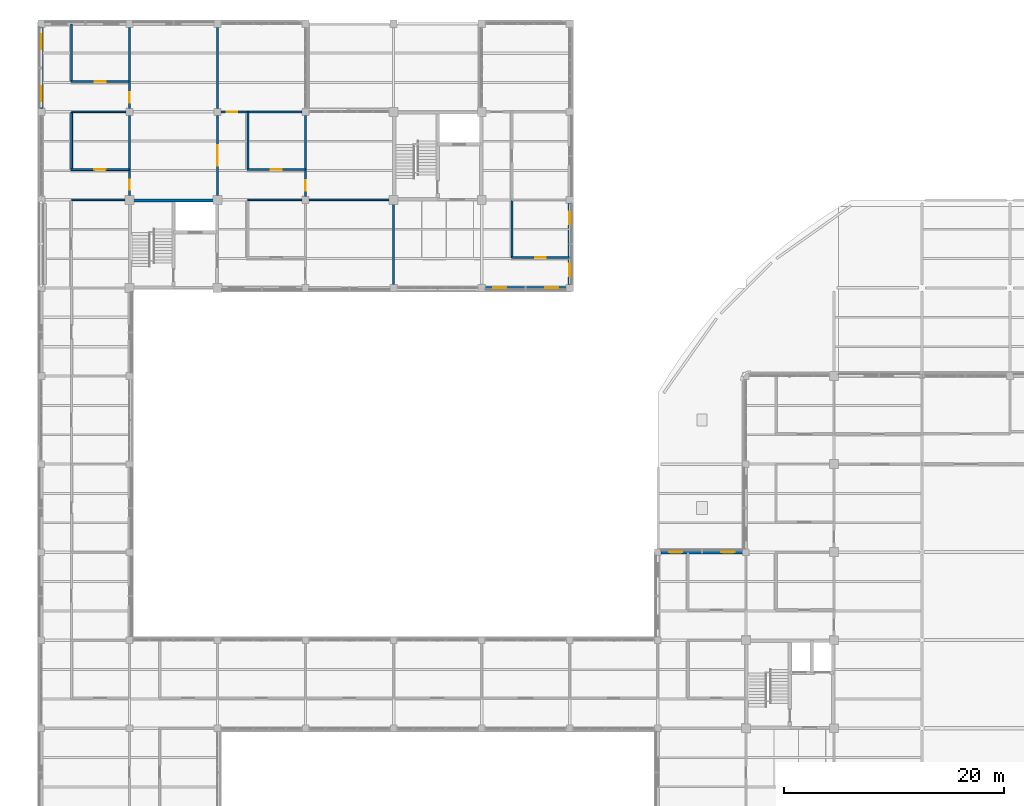
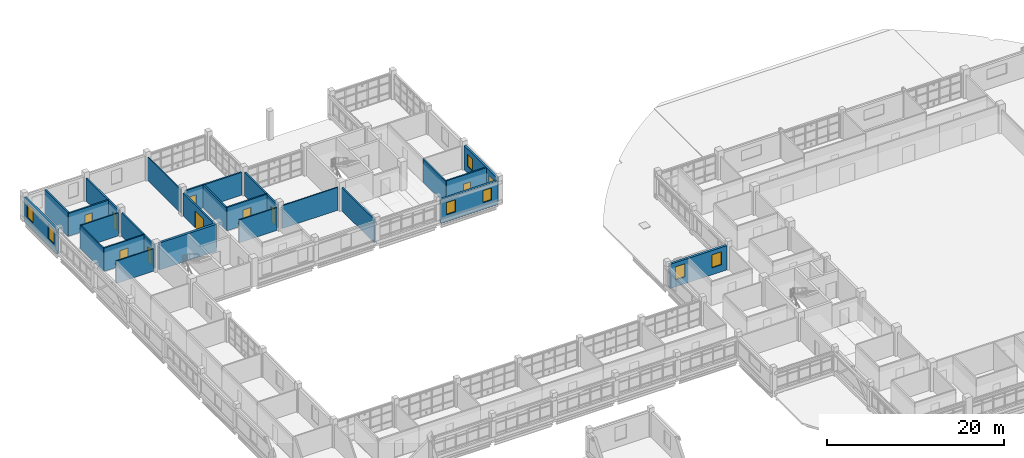
# One storey, part 95 of 126: 24 walls, 9 doors, 8 windows, 17 openings.
"""IFC4 building model written with IfcOpenShell, lengths in metres."""

from ifc_helpers import new_model, si_unit, derived_unit, direction, frame, frame_2d, origin, place, context, subcontext, project, spatial, rectangle, extrude, material, layer, layer_set, type_object, element, fill, save


model = new_model("IFC4")

# Units and contexts
model_context = context("Model", 3, precision=1e-05, world=origin(), true_north=direction((0.0, 1.0)))
body_context = subcontext(model_context, "Body", "Model", "MODEL_VIEW")
ifc_project = project(units=[si_unit("LENGTHUNIT", "METRE"), si_unit("AREAUNIT", "SQUARE_METRE"), si_unit("VOLUMEUNIT", "CUBIC_METRE"), si_unit("PLANEANGLEUNIT", "RADIAN"), si_unit("MASSUNIT", "GRAM", prefix="KILO"), derived_unit("THERMALTRANSMITTANCEUNIT", [(si_unit("MASSUNIT", "GRAM", prefix="KILO"), 1), (si_unit("TIMEUNIT", "SECOND"), -3), (si_unit("THERMODYNAMICTEMPERATUREUNIT", "KELVIN"), -1)])], contexts=[model_context])

# Site, building, storey
site_placement = place(None, origin())
site = spatial("IfcSite", under=ifc_project, at=site_placement, CompositionType="ELEMENT")
building_placement = place(site_placement, origin())
building = spatial("IfcBuilding", under=site, at=building_placement, Name="Veyamyaing Civic Hall", CompositionType="ELEMENT")
storey_placement = place(building_placement, frame((0.0, 0.0, 9.89990234375)))
storey = spatial("IfcBuildingStorey", under=building, at=storey_placement, Name="L02", CompositionType="ELEMENT", Elevation=9.89990234375)

# Wall, openings, windows
ifc_material_1 = material(Name="Precast concrete C40/50", Category="concrete")
ifc_layer_1 = layer(ifc_material_1, 0.304931640625, Name="Precast concrete C40/50")
ifc_layer_set_1 = layer_set([ifc_layer_1], Name="Precast concrete C40/50")
wall_type_1 = type_object("IfcWallType", Name="WT-03", PredefinedType="SOLIDWALL", material=ifc_layer_set_1)
wall_1_placement = place(storey_placement, frame((56.284912109375, 64.0, 0.0), z_axis=(0.0, 0.0, 1.0), x_axis=(1.0, 0.0, 0.0)))
wall_1 = element("IfcWall", 1, at=wall_1_placement, inside=storey, type_object=wall_type_1, Name="Exterior facade wall WT-03 L02 N 8.8", PredefinedType="SOLIDWALL", context=body_context, shape_type="SweptSolid", body=[
    extrude(rectangle(XDim=7.43017578125, YDim=0.304931640625, at=frame_2d((3.715087890625, 0.0))), origin(), (0.0, 0.0, 1.0), 3.343994140625),
])
opening_1_placement = place(wall_1_placement, frame((0.7373046875, 0.0, 0.949951171875)))
opening_1 = element("IfcOpeningElement", 2, at=opening_1_placement, cuts=wall_1, Name="Opening W-14", PredefinedType="OPENING", context=body_context, shape_type="SweptSolid", body=[
    extrude(rectangle(XDim=1.199951171875, YDim=1.800048828125, at=frame_2d((0.60009765625, 0.89990234375))), frame((0.0, 0.162353515625, 0.0), z_axis=(0.0, -1.0, 0.0), x_axis=(1.0, 0.0, 0.0)), (0.0, 0.0, 1.0), 0.324951171875),
])
opening_2_placement = place(wall_1_placement, frame((5.49267578125, 0.0, 0.949951171875)))
opening_2 = element("IfcOpeningElement", 3, at=opening_2_placement, cuts=wall_1, Name="Opening W-14", PredefinedType="OPENING", context=body_context, shape_type="SweptSolid", body=[
    extrude(rectangle(XDim=1.199951171875, YDim=1.800048828125, at=frame_2d((0.60009765625, 0.89990234375))), frame((0.0, 0.162353515625, 0.0), z_axis=(0.0, -1.0, 0.0), x_axis=(1.0, 0.0, 0.0)), (0.0, 0.0, 1.0), 0.324951171875),
])
ifc_material_2 = material(Name="Low-E insulated glass", Category="glass")
window_type_1 = type_object("IfcWindowType", Name="W-14", PartitioningType="SINGLE_PANEL", PredefinedType="WINDOW", material=ifc_material_2)
window_1_placement = place(opening_1_placement, origin())
window_1 = element("IfcWindow", 4, at=window_1_placement, inside=storey, type_object=window_type_1, Name="Facade window W-14 L02 N 8.8.1", OverallHeight=1.800048828125, OverallWidth=1.199951171875, PartitioningType="SINGLE_PANEL", PredefinedType="WINDOW", context=body_context, shape_type="SweptSolid", body=[
    extrude(rectangle(XDim=1.199951171875, YDim=1.800048828125, at=frame_2d((0.60009765625, 0.89990234375))), frame((0.0, 0.030029296875, 0.0), z_axis=(0.0, -1.0, 0.0), x_axis=(1.0, 0.0, 0.0)), (0.0, 0.0, 1.0), 0.06005859375),
])
fill(opening_1, window_1)
window_2_placement = place(opening_2_placement, origin())
window_2 = element("IfcWindow", 5, at=window_2_placement, inside=storey, type_object=window_type_1, Name="Facade window W-14 L02 N 8.8.2", OverallHeight=1.800048828125, OverallWidth=1.199951171875, PartitioningType="SINGLE_PANEL", PredefinedType="WINDOW", context=body_context, shape_type="SweptSolid", body=[
    extrude(rectangle(XDim=1.199951171875, YDim=1.800048828125, at=frame_2d((0.60009765625, 0.89990234375))), frame((0.0, 0.030029296875, 0.0), z_axis=(0.0, -1.0, 0.0), x_axis=(1.0, 0.0, 0.0)), (0.0, 0.0, 1.0), 0.06005859375),
])
fill(opening_2, window_2)

ifc_layer_2 = layer(ifc_material_1, 0.280029296875, Name="Precast concrete C40/50")
ifc_layer_set_2 = layer_set([ifc_layer_2], Name="Precast concrete C40/50")
wall_type_2 = type_object("IfcWallType", Name="WT-04", PredefinedType="SOLIDWALL", material=ifc_layer_set_2)
wall_2_placement = place(storey_placement, frame((0.0, 104.31005859375, 0.0), z_axis=(0.0, 0.0, 1.0), x_axis=(0.0, 1.0, 0.0)))
wall_2 = element("IfcWall", 6, at=wall_2_placement, inside=storey, type_object=wall_type_2, Name="Exterior facade wall WT-04 L02 W 1.14", PredefinedType="SOLIDWALL", context=body_context, shape_type="SweptSolid", body=[
    extrude(rectangle(XDim=7.3798828125, YDim=0.280029296875, at=frame_2d((3.68994140625, 0.0))), origin(), (0.0, 0.0, 1.0), 3.34716796875),
])
opening_3_placement = place(wall_2_placement, frame((0.6533203125, 0.0, 0.949951171875)))
opening_3 = element("IfcOpeningElement", 7, at=opening_3_placement, cuts=wall_2, Name="Opening W-13", PredefinedType="OPENING", context=body_context, shape_type="SweptSolid", body=[
    extrude(rectangle(XDim=1.35009765625, YDim=1.89990234375, at=frame_2d((0.675048828125, 0.949951171875))), frame((0.0, 0.14990234375, 0.0), z_axis=(0.0, -1.0, 0.0), x_axis=(1.0, 0.0, 0.0)), (0.0, 0.0, 1.0), 0.300048828125),
])
opening_4_placement = place(wall_2_placement, frame((5.376708984375, 0.0, 0.949951171875)))
opening_4 = element("IfcOpeningElement", 8, at=opening_4_placement, cuts=wall_2, Name="Opening W-13", PredefinedType="OPENING", context=body_context, shape_type="SweptSolid", body=[
    extrude(rectangle(XDim=1.35009765625, YDim=1.89990234375, at=frame_2d((0.675048828125, 0.949951171875))), frame((0.0, 0.14990234375, 0.0), z_axis=(0.0, -1.0, 0.0), x_axis=(1.0, 0.0, 0.0)), (0.0, 0.0, 1.0), 0.300048828125),
])
window_type_2 = type_object("IfcWindowType", Name="W-13", PartitioningType="SINGLE_PANEL", PredefinedType="WINDOW", material=ifc_material_2)
window_3_placement = place(opening_3_placement, origin())
window_3 = element("IfcWindow", 9, at=window_3_placement, inside=storey, type_object=window_type_2, Name="Facade window W-13 L02 W 1.14.1", OverallHeight=1.89990234375, OverallWidth=1.35009765625, PartitioningType="SINGLE_PANEL", PredefinedType="WINDOW", context=body_context, shape_type="SweptSolid", body=[
    extrude(rectangle(XDim=1.35009765625, YDim=1.89990234375, at=frame_2d((0.675048828125, 0.949951171875))), frame((0.0, 0.030029296875, 0.0), z_axis=(0.0, -1.0, 0.0), x_axis=(1.0, 0.0, 0.0)), (0.0, 0.0, 1.0), 0.06005859375),
])
fill(opening_3, window_3)
window_4_placement = place(opening_4_placement, origin())
window_4 = element("IfcWindow", 10, at=window_4_placement, inside=storey, type_object=window_type_2, Name="Facade window W-13 L02 W 1.14.2", OverallHeight=1.89990234375, OverallWidth=1.35009765625, PartitioningType="SINGLE_PANEL", PredefinedType="WINDOW", context=body_context, shape_type="SweptSolid", body=[
    extrude(rectangle(XDim=1.35009765625, YDim=1.89990234375, at=frame_2d((0.675048828125, 0.949951171875))), frame((0.0, 0.030029296875, 0.0), z_axis=(0.0, -1.0, 0.0), x_axis=(1.0, 0.0, 0.0)), (0.0, 0.0, 1.0), 0.06005859375),
])
fill(opening_4, window_4)

wall_3_placement = place(storey_placement, frame((40.31005859375, 88.0, 0.0), z_axis=(0.0, 0.0, 1.0), x_axis=(1.0, 0.0, 0.0)))
wall_3 = element("IfcWall", 11, at=wall_3_placement, inside=storey, type_object=wall_type_2, Name="Exterior facade wall WT-04 L02 S 6.12", PredefinedType="SOLIDWALL", context=body_context, shape_type="SweptSolid", body=[
    extrude(rectangle(XDim=7.3798828125, YDim=0.280029296875, at=frame_2d((3.68994140625, 0.0))), origin(), (0.0, 0.0, 1.0), 3.2841796875),
])
opening_5_placement = place(wall_3_placement, frame((0.75341796875, 0.0, 0.949951171875)))
opening_5 = element("IfcOpeningElement", 12, at=opening_5_placement, cuts=wall_3, Name="Opening W-32", PredefinedType="OPENING", context=body_context, shape_type="SweptSolid", body=[
    extrude(rectangle(XDim=1.14990234375, YDim=1.64990234375, at=frame_2d((0.574951171875, 0.824951171875))), frame((0.0, 0.14990234375, 0.0), z_axis=(0.0, -1.0, 0.0), x_axis=(1.0, 0.0, 0.0)), (0.0, 0.0, 1.0), 0.300048828125),
])
opening_6_placement = place(wall_3_placement, frame((5.4765625, 0.0, 0.949951171875)))
opening_6 = element("IfcOpeningElement", 13, at=opening_6_placement, cuts=wall_3, Name="Opening W-32", PredefinedType="OPENING", context=body_context, shape_type="SweptSolid", body=[
    extrude(rectangle(XDim=1.14990234375, YDim=1.64990234375, at=frame_2d((0.574951171875, 0.824951171875))), frame((0.0, 0.14990234375, 0.0), z_axis=(0.0, -1.0, 0.0), x_axis=(1.0, 0.0, 0.0)), (0.0, 0.0, 1.0), 0.300048828125),
])
window_type_3 = type_object("IfcWindowType", Name="W-32", PartitioningType="SINGLE_PANEL", PredefinedType="WINDOW", material=ifc_material_2)
window_5_placement = place(opening_5_placement, origin())
window_5 = element("IfcWindow", 14, at=window_5_placement, inside=storey, type_object=window_type_3, Name="Facade window W-32 L02 S 6.12.1", OverallHeight=1.64990234375, OverallWidth=1.14990234375, PartitioningType="SINGLE_PANEL", PredefinedType="WINDOW", context=body_context, shape_type="SweptSolid", body=[
    extrude(rectangle(XDim=1.14990234375, YDim=1.64990234375, at=frame_2d((0.574951171875, 0.824951171875))), frame((0.0, 0.030029296875, 0.0), z_axis=(0.0, -1.0, 0.0), x_axis=(1.0, 0.0, 0.0)), (0.0, 0.0, 1.0), 0.06005859375),
])
fill(opening_5, window_5)
window_6_placement = place(opening_6_placement, origin())
window_6 = element("IfcWindow", 15, at=window_6_placement, inside=storey, type_object=window_type_3, Name="Facade window W-32 L02 S 6.12.2", OverallHeight=1.64990234375, OverallWidth=1.14990234375, PartitioningType="SINGLE_PANEL", PredefinedType="WINDOW", context=body_context, shape_type="SweptSolid", body=[
    extrude(rectangle(XDim=1.14990234375, YDim=1.64990234375, at=frame_2d((0.574951171875, 0.824951171875))), frame((0.0, 0.030029296875, 0.0), z_axis=(0.0, -1.0, 0.0), x_axis=(1.0, 0.0, 0.0)), (0.0, 0.0, 1.0), 0.06005859375),
])
fill(opening_6, window_6)

wall_4_placement = place(storey_placement, frame((48.0, 88.31005859375, 0.0), z_axis=(0.0, 0.0, 1.0), x_axis=(0.0, 1.0, 0.0)))
wall_4 = element("IfcWall", 16, at=wall_4_placement, inside=storey, type_object=wall_type_2, Name="Exterior facade wall WT-04 L02 E 6.12", PredefinedType="SOLIDWALL", context=body_context, shape_type="SweptSolid", body=[
    extrude(rectangle(XDim=7.3798828125, YDim=0.280029296875, at=frame_2d((3.68994140625, 0.0))), origin(), (0.0, 0.0, 1.0), 3.34716796875),
])
opening_7_placement = place(wall_4_placement, frame((0.75341796875, 0.0, 0.949951171875)))
opening_7 = element("IfcOpeningElement", 17, at=opening_7_placement, cuts=wall_4, Name="Opening W-32", PredefinedType="OPENING", context=body_context, shape_type="SweptSolid", body=[
    extrude(rectangle(XDim=1.14990234375, YDim=1.64990234375, at=frame_2d((0.574951171875, 0.824951171875))), frame((0.0, 0.14990234375, 0.0), z_axis=(0.0, -1.0, 0.0), x_axis=(1.0, 0.0, 0.0)), (0.0, 0.0, 1.0), 0.300048828125),
])
opening_8_placement = place(wall_4_placement, frame((5.4765625, 0.0, 0.949951171875)))
opening_8 = element("IfcOpeningElement", 18, at=opening_8_placement, cuts=wall_4, Name="Opening W-32", PredefinedType="OPENING", context=body_context, shape_type="SweptSolid", body=[
    extrude(rectangle(XDim=1.14990234375, YDim=1.64990234375, at=frame_2d((0.574951171875, 0.824951171875))), frame((0.0, 0.14990234375, 0.0), z_axis=(0.0, -1.0, 0.0), x_axis=(1.0, 0.0, 0.0)), (0.0, 0.0, 1.0), 0.300048828125),
])
window_7_placement = place(opening_7_placement, origin())
window_7 = element("IfcWindow", 19, at=window_7_placement, inside=storey, type_object=window_type_3, Name="Facade window W-32 L02 E 6.12.1", OverallHeight=1.64990234375, OverallWidth=1.14990234375, PartitioningType="SINGLE_PANEL", PredefinedType="WINDOW", context=body_context, shape_type="SweptSolid", body=[
    extrude(rectangle(XDim=1.14990234375, YDim=1.64990234375, at=frame_2d((0.574951171875, 0.824951171875))), frame((0.0, 0.030029296875, 0.0), z_axis=(0.0, -1.0, 0.0), x_axis=(1.0, 0.0, 0.0)), (0.0, 0.0, 1.0), 0.06005859375),
])
fill(opening_7, window_7)
window_8_placement = place(opening_8_placement, origin())
window_8 = element("IfcWindow", 20, at=window_8_placement, inside=storey, type_object=window_type_3, Name="Facade window W-32 L02 E 6.12.2", OverallHeight=1.64990234375, OverallWidth=1.14990234375, PartitioningType="SINGLE_PANEL", PredefinedType="WINDOW", context=body_context, shape_type="SweptSolid", body=[
    extrude(rectangle(XDim=1.14990234375, YDim=1.64990234375, at=frame_2d((0.574951171875, 0.824951171875))), frame((0.0, 0.030029296875, 0.0), z_axis=(0.0, -1.0, 0.0), x_axis=(1.0, 0.0, 0.0)), (0.0, 0.0, 1.0), 0.06005859375),
])
fill(opening_8, window_8)

# Wall
ifc_material_3 = material(Name="Concrete C40/50", Category="concrete")
ifc_layer_3 = layer(ifc_material_3, 0.300048828125, Name="Concrete C40/50")
ifc_layer_set_3 = layer_set([ifc_layer_3], Name="Concrete C40/50")
wall_type_3 = type_object("IfcWallType", Name="WT-05", PredefinedType="SHEAR", material=ifc_layer_set_3)
wall_5_placement = place(storey_placement, frame((8.2900390625, 95.949951171875, 0.0), z_axis=(0.0, 0.0, 1.0), x_axis=(1.0, 0.0, 0.0)))
element("IfcWall", 21, at=wall_5_placement, inside=storey, type_object=wall_type_3, Name="Core shear wall WT-05 CORE-1 L02.N", PredefinedType="SHEAR", context=body_context, shape_type="SweptSolid", body=[
    extrude(rectangle(XDim=7.419921875, YDim=0.300048828125, at=frame_2d((3.7099609375, 0.0))), origin(), (0.0, 0.0, 1.0), 3.705078125),
])

# Wall, opening, door
ifc_layer_4 = layer(ifc_material_3, 0.199951171875, Name="Concrete C40/50")
ifc_layer_set_4 = layer_set([ifc_layer_4], Name="Concrete C40/50")
wall_type_4 = type_object("IfcWallType", Name="WT-06", PredefinedType="PARTITIONING", material=ifc_layer_set_4)
wall_6_placement = place(storey_placement, frame((8.0, 96.389892578125, 0.0), z_axis=(0.0, 0.0, 1.0), x_axis=(0.0, 1.0, 0.0)))
wall_6 = element("IfcWall", 22, at=wall_6_placement, inside=storey, type_object=wall_type_4, Name="Interior partition wall WT-06 L02.8", PredefinedType="PARTITIONING", context=body_context, shape_type="SweptSolid", body=[
    extrude(rectangle(XDim=7.295166015625, YDim=0.199951171875, at=frame_2d((3.6474609375, 0.0))), origin(), (0.0, 0.0, 1.0), 3.22705078125),
])
opening_9_placement = place(wall_6_placement, frame((0.52001953125, 0.0, 0.0)))
opening_9 = element("IfcOpeningElement", 23, at=opening_9_placement, cuts=wall_6, Name="Opening D-30", PredefinedType="OPENING", context=body_context, shape_type="SweptSolid", body=[
    extrude(rectangle(XDim=0.93994140625, YDim=2.1201171875, at=frame_2d((0.469970703125, 1.06005859375))), frame((0.0, 0.10986328125, 0.0), z_axis=(0.0, -1.0, 0.0), x_axis=(1.0, 0.0, 0.0)), (0.0, 0.0, 1.0), 0.219970703125),
])
ifc_material_4 = material(Name="Teak-veneered acoustic timber", Category="wood")
door_type_1 = type_object("IfcDoorType", Name="D-30", OperationType="NOTDEFINED", PredefinedType="DOOR", material=ifc_material_4)
door_1_placement = place(opening_9_placement, frame((0.93994140625, 0.0, 0.0), z_axis=(0.0, 0.0, 1.0), x_axis=(-1.0, 0.0, 0.0)))
door_1 = element("IfcDoor", 24, at=door_1_placement, inside=storey, type_object=door_type_1, Name="Interior door D-30 L02.8", OperationType="SINGLE_SWING_LEFT", OverallHeight=2.1201171875, OverallWidth=0.93994140625, PredefinedType="DOOR", context=body_context, shape_type="SweptSolid", body=[
    extrude(rectangle(XDim=0.93994140625, YDim=2.1201171875, at=frame_2d((0.469970703125, 1.06005859375))), frame((0.0, 0.02490234375, 0.0), z_axis=(0.0, -1.0, 0.0), x_axis=(1.0, 0.0, 0.0)), (0.0, 0.0, 1.0), 0.050048828125),
])
fill(opening_9, door_1)

wall_7_placement = place(storey_placement, frame((8.0, 104.31494140625, 0.0), z_axis=(0.0, 0.0, 1.0), x_axis=(0.0, 1.0, 0.0)))
wall_7 = element("IfcWall", 25, at=wall_7_placement, inside=storey, type_object=wall_type_4, Name="Interior partition wall WT-06 L02.9", PredefinedType="PARTITIONING", context=body_context, shape_type="SweptSolid", body=[
    extrude(rectangle(XDim=7.3701171875, YDim=0.199951171875, at=frame_2d((3.68505859375, 0.0))), origin(), (0.0, 0.0, 1.0), 3.151123046875),
])
opening_10_placement = place(wall_7_placement, frame((0.52001953125, 0.0, 0.0)))
opening_10 = element("IfcOpeningElement", 26, at=opening_10_placement, cuts=wall_7, Name="Opening D-30", PredefinedType="OPENING", context=body_context, shape_type="SweptSolid", body=[
    extrude(rectangle(XDim=0.93994140625, YDim=2.1201171875, at=frame_2d((0.469970703125, 1.06005859375))), frame((0.0, 0.10986328125, 0.0), z_axis=(0.0, -1.0, 0.0), x_axis=(1.0, 0.0, 0.0)), (0.0, 0.0, 1.0), 0.219970703125),
])
door_2_placement = place(opening_10_placement, frame((0.93994140625, 0.0, 0.0), z_axis=(0.0, 0.0, 1.0), x_axis=(-1.0, 0.0, 0.0)))
door_2 = element("IfcDoor", 27, at=door_2_placement, inside=storey, type_object=door_type_1, Name="Interior door D-30 L02.9", OperationType="SINGLE_SWING_RIGHT", OverallHeight=2.1201171875, OverallWidth=0.93994140625, PredefinedType="DOOR", context=body_context, shape_type="SweptSolid", body=[
    extrude(rectangle(XDim=0.93994140625, YDim=2.1201171875, at=frame_2d((0.469970703125, 1.06005859375))), frame((0.0, 0.02490234375, 0.0), z_axis=(0.0, -1.0, 0.0), x_axis=(1.0, 0.0, 0.0)), (0.0, 0.0, 1.0), 0.050048828125),
])
fill(opening_10, door_2)

wall_8_placement = place(storey_placement, frame((16.0, 96.389892578125, 0.0), z_axis=(0.0, 0.0, 1.0), x_axis=(0.0, 1.0, 0.0)))
wall_8 = element("IfcWall", 28, at=wall_8_placement, inside=storey, type_object=wall_type_4, Name="Interior partition wall WT-06 L02.11", PredefinedType="PARTITIONING", context=body_context, shape_type="SweptSolid", body=[
    extrude(rectangle(XDim=7.295166015625, YDim=0.199951171875, at=frame_2d((3.6474609375, 0.0))), origin(), (0.0, 0.0, 1.0), 3.151123046875),
])
opening_11_placement = place(wall_8_placement, frame((2.697509765625, 0.0, 0.0)))
opening_11 = element("IfcOpeningElement", 29, at=opening_11_placement, cuts=wall_8, Name="Opening D-31", PredefinedType="OPENING", context=body_context, shape_type="SweptSolid", body=[
    extrude(rectangle(XDim=1.89990234375, YDim=2.3798828125, at=frame_2d((0.949951171875, 1.18994140625))), frame((0.0, 0.10986328125, 0.0), z_axis=(0.0, -1.0, 0.0), x_axis=(1.0, 0.0, 0.0)), (0.0, 0.0, 1.0), 0.219970703125),
])
door_type_2 = type_object("IfcDoorType", Name="D-31", OperationType="DOUBLE_DOOR_SINGLE_SWING", PredefinedType="DOOR", material=ifc_material_4)
door_3_placement = place(opening_11_placement, origin())
door_3 = element("IfcDoor", 30, at=door_3_placement, inside=storey, type_object=door_type_2, Name="Interior door D-31 L02.11", OperationType="DOUBLE_DOOR_SINGLE_SWING", OverallHeight=2.3798828125, OverallWidth=1.89990234375, PredefinedType="DOOR", context=body_context, shape_type="SweptSolid", body=[
    extrude(rectangle(XDim=1.89990234375, YDim=2.3798828125, at=frame_2d((0.949951171875, 1.18994140625))), frame((0.0, 0.02490234375, 0.0), z_axis=(0.0, -1.0, 0.0), x_axis=(1.0, 0.0, 0.0)), (0.0, 0.0, 1.0), 0.050048828125),
])
fill(opening_11, door_3)

wall_9_placement = place(storey_placement, frame((24.0, 96.31494140625, 0.0), z_axis=(0.0, 0.0, 1.0), x_axis=(0.0, 1.0, 0.0)))
wall_9 = element("IfcWall", 31, at=wall_9_placement, inside=storey, type_object=wall_type_4, Name="Interior partition wall WT-06 L02.14", PredefinedType="PARTITIONING", context=body_context, shape_type="SweptSolid", body=[
    extrude(rectangle(XDim=7.3701171875, YDim=0.199951171875, at=frame_2d((3.68505859375, 0.0))), origin(), (0.0, 0.0, 1.0), 3.22119140625),
])
opening_12_placement = place(wall_9_placement, frame((0.52001953125, 0.0, 0.0)))
opening_12 = element("IfcOpeningElement", 32, at=opening_12_placement, cuts=wall_9, Name="Opening D-30", PredefinedType="OPENING", context=body_context, shape_type="SweptSolid", body=[
    extrude(rectangle(XDim=0.93994140625, YDim=2.1201171875, at=frame_2d((0.469970703125, 1.06005859375))), frame((0.0, 0.10986328125, 0.0), z_axis=(0.0, -1.0, 0.0), x_axis=(1.0, 0.0, 0.0)), (0.0, 0.0, 1.0), 0.219970703125),
])
door_4_placement = place(opening_12_placement, frame((0.93994140625, 0.0, 0.0), z_axis=(0.0, 0.0, 1.0), x_axis=(-1.0, 0.0, 0.0)))
door_4 = element("IfcDoor", 33, at=door_4_placement, inside=storey, type_object=door_type_1, Name="Interior door D-30 L02.14", OperationType="SINGLE_SWING_RIGHT", OverallHeight=2.1201171875, OverallWidth=0.93994140625, PredefinedType="DOOR", context=body_context, shape_type="SweptSolid", body=[
    extrude(rectangle(XDim=0.93994140625, YDim=2.1201171875, at=frame_2d((0.469970703125, 1.06005859375))), frame((0.0, 0.02490234375, 0.0), z_axis=(0.0, -1.0, 0.0), x_axis=(1.0, 0.0, 0.0)), (0.0, 0.0, 1.0), 0.050048828125),
])
fill(opening_12, door_4)

wall_10_placement = place(storey_placement, frame((16.31494140625, 104.0, 0.0), z_axis=(0.0, 0.0, 1.0), x_axis=(1.0, 0.0, 0.0)))
wall_10 = element("IfcWall", 34, at=wall_10_placement, inside=storey, type_object=wall_type_4, Name="Interior partition wall WT-06 L02.15", PredefinedType="PARTITIONING", context=body_context, shape_type="SweptSolid", body=[
    extrude(rectangle(XDim=7.3701171875, YDim=0.199951171875, at=frame_2d((3.68505859375, 0.0))), origin(), (0.0, 0.0, 1.0), 3.151123046875),
])
opening_13_placement = place(wall_10_placement, frame((0.52001953125, 0.0, 0.0)))
opening_13 = element("IfcOpeningElement", 35, at=opening_13_placement, cuts=wall_10, Name="Opening D-30", PredefinedType="OPENING", context=body_context, shape_type="SweptSolid", body=[
    extrude(rectangle(XDim=0.93994140625, YDim=2.1201171875, at=frame_2d((0.469970703125, 1.06005859375))), frame((0.0, 0.10986328125, 0.0), z_axis=(0.0, -1.0, 0.0), x_axis=(1.0, 0.0, 0.0)), (0.0, 0.0, 1.0), 0.219970703125),
])
door_5_placement = place(opening_13_placement, origin())
door_5 = element("IfcDoor", 36, at=door_5_placement, inside=storey, type_object=door_type_1, Name="Interior door D-30 L02.15", OperationType="SINGLE_SWING_LEFT", OverallHeight=2.1201171875, OverallWidth=0.93994140625, PredefinedType="DOOR", context=body_context, shape_type="SweptSolid", body=[
    extrude(rectangle(XDim=0.93994140625, YDim=2.1201171875, at=frame_2d((0.469970703125, 1.06005859375))), frame((0.0, 0.02490234375, 0.0), z_axis=(0.0, -1.0, 0.0), x_axis=(1.0, 0.0, 0.0)), (0.0, 0.0, 1.0), 0.050048828125),
])
fill(opening_13, door_5)

# Wall
wall_11_placement = place(storey_placement, frame((32.0, 88.31494140625, 0.0), z_axis=(0.0, 0.0, 1.0), x_axis=(0.0, 1.0, 0.0)))
element("IfcWall", 37, at=wall_11_placement, inside=storey, type_object=wall_type_4, Name="Interior partition wall WT-06 L02.16", PredefinedType="PARTITIONING", context=body_context, shape_type="SweptSolid", body=[
    extrude(rectangle(XDim=7.295166015625, YDim=0.199951171875, at=frame_2d((3.6474609375, 0.0))), origin(), (0.0, 0.0, 1.0), 3.22119140625),
])

# Wall, opening, door
ifc_material_5 = material(Name="Gypsum board on acoustic steel stud", Category="steel")
ifc_layer_5 = layer(ifc_material_5, 0.175048828125, Name="Gypsum board on acoustic steel stud")
ifc_layer_set_5 = layer_set([ifc_layer_5], Name="Gypsum board on acoustic steel stud")
wall_type_5 = type_object("IfcWallType", Name="WT-07", PredefinedType="PARTITIONING", material=ifc_layer_set_5)
wall_12_placement = place(storey_placement, frame((2.699951171875, 98.75, 0.0), z_axis=(0.0, 0.0, 1.0), x_axis=(1.0, 0.0, 0.0)))
wall_12 = element("IfcWall", 38, at=wall_12_placement, inside=storey, type_object=wall_type_5, Name="Corridor gallery partition WT-07 L02.7.1", PredefinedType="PARTITIONING", context=body_context, shape_type="SweptSolid", body=[
    extrude(rectangle(XDim=5.280029296875, YDim=0.175048828125, at=frame_2d((2.64013671875, 0.0))), origin(), (0.0, 0.0, 1.0), 3.22705078125),
])
opening_14_placement = place(wall_12_placement, frame((2.114990234375, 0.0, 0.0)))
opening_14 = element("IfcOpeningElement", 39, at=opening_14_placement, cuts=wall_12, Name="Opening D-12", PredefinedType="OPENING", context=body_context, shape_type="SweptSolid", body=[
    extrude(rectangle(XDim=1.050048828125, YDim=2.14990234375, at=frame_2d((0.52490234375, 1.074951171875))), frame((0.0, 0.097412109375, 0.0), z_axis=(0.0, -1.0, 0.0), x_axis=(1.0, 0.0, 0.0)), (0.0, 0.0, 1.0), 0.195068359375),
])
door_type_3 = type_object("IfcDoorType", Name="D-12", OperationType="NOTDEFINED", PredefinedType="DOOR", material=ifc_material_4)
door_6_placement = place(opening_14_placement, origin())
door_6 = element("IfcDoor", 40, at=door_6_placement, inside=storey, type_object=door_type_3, Name="Gallery office door D-12 L02.7", OperationType="SINGLE_SWING_LEFT", OverallHeight=2.14990234375, OverallWidth=1.050048828125, PredefinedType="DOOR", context=body_context, shape_type="SweptSolid", body=[
    extrude(rectangle(XDim=1.050048828125, YDim=2.14990234375, at=frame_2d((0.52490234375, 1.074951171875))), frame((0.0, 0.02490234375, 0.0), z_axis=(0.0, -1.0, 0.0), x_axis=(1.0, 0.0, 0.0)), (0.0, 0.0, 1.0), 0.050048828125),
])
fill(opening_14, door_6)

# Walls
wall_13_placement = place(storey_placement, frame((2.75, 98.699951171875, 0.0), z_axis=(0.0, 0.0, 1.0), x_axis=(0.0, 1.0, 0.0)))
element("IfcWall", 41, at=wall_13_placement, inside=storey, type_object=wall_type_5, Name="Corridor gallery partition WT-07 L02.7.2", PredefinedType="PARTITIONING", context=body_context, shape_type="SweptSolid", body=[
    extrude(rectangle(XDim=5.280029296875, YDim=0.175048828125, at=frame_2d((2.64013671875, 0.0))), origin(), (0.0, 0.0, 1.0), 3.156982421875),
])
ifc_material_6 = material(Name="Gypsum board on steel stud", Category="steel")
ifc_layer_6 = layer(ifc_material_6, 0.14990234375, Name="Gypsum board on steel stud")
ifc_layer_set_6 = layer_set([ifc_layer_6], Name="Gypsum board on steel stud")
wall_type_6 = type_object("IfcWallType", Name="WT-08", PredefinedType="PARTITIONING", material=ifc_layer_set_6)
wall_14_placement = place(storey_placement, frame((2.75, 96.0, 0.0), z_axis=(0.0, 0.0, 1.0), x_axis=(1.0, 0.0, 0.0)))
element("IfcWall", 42, at=wall_14_placement, inside=storey, type_object=wall_type_6, Name="Gallery office end partition WT-08 L02.6.2", PredefinedType="PARTITIONING", context=body_context, shape_type="SweptSolid", body=[
    extrude(rectangle(XDim=4.840087890625, YDim=0.14990234375, at=frame_2d((2.419921875, 0.0))), origin(), (0.0, 0.0, 1.0), 3.08203125),
])
wall_15_placement = place(storey_placement, frame((2.75, 104.0, 0.0), z_axis=(0.0, 0.0, 1.0), x_axis=(1.0, 0.0, 0.0)))
element("IfcWall", 43, at=wall_15_placement, inside=storey, type_object=wall_type_6, Name="Gallery office end partition WT-08 L02.7.1", PredefinedType="PARTITIONING", context=body_context, shape_type="SweptSolid", body=[
    extrude(rectangle(XDim=4.9150390625, YDim=0.14990234375, at=frame_2d((2.45751953125, 0.0))), origin(), (0.0, 0.0, 1.0), 3.156982421875),
])
wall_16_placement = place(storey_placement, frame((18.75, 96.0, 0.0), z_axis=(0.0, 0.0, 1.0), x_axis=(1.0, 0.0, 0.0)))
element("IfcWall", 44, at=wall_16_placement, inside=storey, type_object=wall_type_6, Name="Gallery office end partition WT-08 L02.17.1", PredefinedType="PARTITIONING", context=body_context, shape_type="SweptSolid", body=[
    extrude(rectangle(XDim=4.9150390625, YDim=0.14990234375, at=frame_2d((2.45751953125, 0.0))), origin(), (0.0, 0.0, 1.0), 3.14111328125),
])
wall_17_placement = place(storey_placement, frame((24.31494140625, 96.0, 0.0), z_axis=(0.0, 0.0, 1.0), x_axis=(1.0, 0.0, 0.0)))
element("IfcWall", 45, at=wall_17_placement, inside=storey, type_object=wall_type_6, Name="Interior partition wall WT-08 L02.17", PredefinedType="PARTITIONING", context=body_context, shape_type="SweptSolid", body=[
    extrude(rectangle(XDim=7.295166015625, YDim=0.14990234375, at=frame_2d((3.6474609375, 0.0))), origin(), (0.0, 0.0, 1.0), 3.151123046875),
])

# Wall, opening, door
ifc_material_7 = material(Name="Gypsum board on double acoustic stud")
ifc_layer_7 = layer(ifc_material_7, 0.18505859375, Name="Gypsum board on double acoustic stud")
ifc_layer_set_7 = layer_set([ifc_layer_7], Name="Gypsum board on double acoustic stud")
wall_type_7 = type_object("IfcWallType", Name="WT-19", PredefinedType="PARTITIONING", material=ifc_layer_set_7)
wall_18_placement = place(storey_placement, frame((2.699951171875, 106.75, 0.0), z_axis=(0.0, 0.0, 1.0), x_axis=(1.0, 0.0, 0.0)))
wall_18 = element("IfcWall", 46, at=wall_18_placement, inside=storey, type_object=wall_type_7, Name="Corridor gallery partition WT-19 L02.8.1", PredefinedType="PARTITIONING", context=body_context, shape_type="SweptSolid", body=[
    extrude(rectangle(XDim=5.280029296875, YDim=0.18505859375, at=frame_2d((2.64013671875, 0.0))), origin(), (0.0, 0.0, 1.0), 3.151123046875),
])
opening_15_placement = place(wall_18_placement, frame((2.139892578125, 0.0, 0.0)))
opening_15 = element("IfcOpeningElement", 47, at=opening_15_placement, cuts=wall_18, Name="Opening D-13", PredefinedType="OPENING", context=body_context, shape_type="SweptSolid", body=[
    extrude(rectangle(XDim=1.0, YDim=2.14990234375, at=frame_2d((0.5, 1.074951171875))), frame((0.0, 0.1025390625, 0.0), z_axis=(0.0, -1.0, 0.0), x_axis=(1.0, 0.0, 0.0)), (0.0, 0.0, 1.0), 0.205078125),
])
door_type_4 = type_object("IfcDoorType", Name="D-13", OperationType="NOTDEFINED", PredefinedType="DOOR", material=ifc_material_4)
door_7_placement = place(opening_15_placement, origin())
door_7 = element("IfcDoor", 48, at=door_7_placement, inside=storey, type_object=door_type_4, Name="Gallery office door D-13 L02.8", OperationType="SINGLE_SWING_RIGHT", OverallHeight=2.14990234375, OverallWidth=1.0, PredefinedType="DOOR", context=body_context, shape_type="SweptSolid", body=[
    extrude(rectangle(XDim=1.0, YDim=2.14990234375, at=frame_2d((0.5, 1.074951171875))), frame((0.0, 0.02490234375, 0.0), z_axis=(0.0, -1.0, 0.0), x_axis=(1.0, 0.0, 0.0)), (0.0, 0.0, 1.0), 0.050048828125),
])
fill(opening_15, door_7)

# Wall
wall_19_placement = place(storey_placement, frame((2.75, 106.699951171875, 0.0), z_axis=(0.0, 0.0, 1.0), x_axis=(0.0, 1.0, 0.0)))
element("IfcWall", 49, at=wall_19_placement, inside=storey, type_object=wall_type_7, Name="Corridor gallery partition WT-19 L02.8.2", PredefinedType="PARTITIONING", context=body_context, shape_type="SweptSolid", body=[
    extrude(rectangle(XDim=5.280029296875, YDim=0.18505859375, at=frame_2d((2.64013671875, 0.0))), origin(), (0.0, 0.0, 1.0), 3.273193359375),
])

# Wall, opening, door
wall_20_placement = place(storey_placement, frame((18.699951171875, 98.75, 0.0), z_axis=(0.0, 0.0, 1.0), x_axis=(1.0, 0.0, 0.0)))
wall_20 = element("IfcWall", 50, at=wall_20_placement, inside=storey, type_object=wall_type_7, Name="Corridor gallery partition WT-19 L02.18.1", PredefinedType="PARTITIONING", context=body_context, shape_type="SweptSolid", body=[
    extrude(rectangle(XDim=5.280029296875, YDim=0.18505859375, at=frame_2d((2.64013671875, 0.0))), origin(), (0.0, 0.0, 1.0), 3.22119140625),
])
opening_16_placement = place(wall_20_placement, frame((2.139892578125, 0.0, 0.0)))
opening_16 = element("IfcOpeningElement", 51, at=opening_16_placement, cuts=wall_20, Name="Opening D-13", PredefinedType="OPENING", context=body_context, shape_type="SweptSolid", body=[
    extrude(rectangle(XDim=1.0, YDim=2.14990234375, at=frame_2d((0.5, 1.074951171875))), frame((0.0, 0.1025390625, 0.0), z_axis=(0.0, -1.0, 0.0), x_axis=(1.0, 0.0, 0.0)), (0.0, 0.0, 1.0), 0.205078125),
])
door_8_placement = place(opening_16_placement, origin())
door_8 = element("IfcDoor", 52, at=door_8_placement, inside=storey, type_object=door_type_4, Name="Gallery office door D-13 L02.18", OperationType="SINGLE_SWING_RIGHT", OverallHeight=2.14990234375, OverallWidth=1.0, PredefinedType="DOOR", context=body_context, shape_type="SweptSolid", body=[
    extrude(rectangle(XDim=1.0, YDim=2.14990234375, at=frame_2d((0.5, 1.074951171875))), frame((0.0, 0.02490234375, 0.0), z_axis=(0.0, -1.0, 0.0), x_axis=(1.0, 0.0, 0.0)), (0.0, 0.0, 1.0), 0.050048828125),
])
fill(opening_16, door_8)

# Wall
wall_21_placement = place(storey_placement, frame((18.75, 98.699951171875, 0.0), z_axis=(0.0, 0.0, 1.0), x_axis=(0.0, 1.0, 0.0)))
element("IfcWall", 53, at=wall_21_placement, inside=storey, type_object=wall_type_7, Name="Corridor gallery partition WT-19 L02.18.2", PredefinedType="PARTITIONING", context=body_context, shape_type="SweptSolid", body=[
    extrude(rectangle(XDim=5.280029296875, YDim=0.18505859375, at=frame_2d((2.64013671875, 0.0))), origin(), (0.0, 0.0, 1.0), 3.151123046875),
])

# Wall, opening, door
wall_22_placement = place(storey_placement, frame((42.699951171875, 90.75, 0.0), z_axis=(0.0, 0.0, 1.0), x_axis=(1.0, 0.0, 0.0)))
wall_22 = element("IfcWall", 54, at=wall_22_placement, inside=storey, type_object=wall_type_7, Name="Corridor gallery partition WT-19 L02.26.1", PredefinedType="PARTITIONING", context=body_context, shape_type="SweptSolid", body=[
    extrude(rectangle(XDim=5.280029296875, YDim=0.18505859375, at=frame_2d((2.64013671875, 0.0))), origin(), (0.0, 0.0, 1.0), 3.340087890625),
])
opening_17_placement = place(wall_22_placement, frame((2.169921875, 0.0, 0.0)))
opening_17 = element("IfcOpeningElement", 55, at=opening_17_placement, cuts=wall_22, Name="Opening D-30", PredefinedType="OPENING", context=body_context, shape_type="SweptSolid", body=[
    extrude(rectangle(XDim=0.93994140625, YDim=2.1201171875, at=frame_2d((0.469970703125, 1.06005859375))), frame((0.0, 0.1025390625, 0.0), z_axis=(0.0, -1.0, 0.0), x_axis=(1.0, 0.0, 0.0)), (0.0, 0.0, 1.0), 0.205078125),
])
door_9_placement = place(opening_17_placement, origin())
door_9 = element("IfcDoor", 56, at=door_9_placement, inside=storey, type_object=door_type_1, Name="Gallery office door D-30 L02.26", OperationType="SINGLE_SWING_RIGHT", OverallHeight=2.1201171875, OverallWidth=0.93994140625, PredefinedType="DOOR", context=body_context, shape_type="SweptSolid", body=[
    extrude(rectangle(XDim=0.93994140625, YDim=2.1201171875, at=frame_2d((0.469970703125, 1.06005859375))), frame((0.0, 0.02490234375, 0.0), z_axis=(0.0, -1.0, 0.0), x_axis=(1.0, 0.0, 0.0)), (0.0, 0.0, 1.0), 0.050048828125),
])
fill(opening_17, door_9)

# Walls
wall_23_placement = place(storey_placement, frame((42.75, 90.699951171875, 0.0), z_axis=(0.0, 0.0, 1.0), x_axis=(0.0, 1.0, 0.0)))
element("IfcWall", 57, at=wall_23_placement, inside=storey, type_object=wall_type_7, Name="Corridor gallery partition WT-19 L02.26.2", PredefinedType="PARTITIONING", context=body_context, shape_type="SweptSolid", body=[
    extrude(rectangle(XDim=5.280029296875, YDim=0.18505859375, at=frame_2d((2.64013671875, 0.0))), origin(), (0.0, 0.0, 1.0), 3.156982421875),
])
ifc_layer_8 = layer(ifc_material_6, 0.14208984375, Name="Gypsum board on steel stud")
ifc_layer_set_8 = layer_set([ifc_layer_8], Name="Gypsum board on steel stud")
wall_type_8 = type_object("IfcWallType", Name="WT-20", PredefinedType="PARTITIONING", material=ifc_layer_set_8)
wall_24_placement = place(storey_placement, frame((16.0, 104.31494140625, 0.0), z_axis=(0.0, 0.0, 1.0), x_axis=(0.0, 1.0, 0.0)))
element("IfcWall", 58, at=wall_24_placement, inside=storey, type_object=wall_type_8, Name="Interior partition wall WT-20 L02.12", PredefinedType="PARTITIONING", context=body_context, shape_type="SweptSolid", body=[
    extrude(rectangle(XDim=7.3701171875, YDim=0.14208984375, at=frame_2d((3.68505859375, 0.0))), origin(), (0.0, 0.0, 1.0), 3.22119140625),
])

save(model, "model.ifc")
